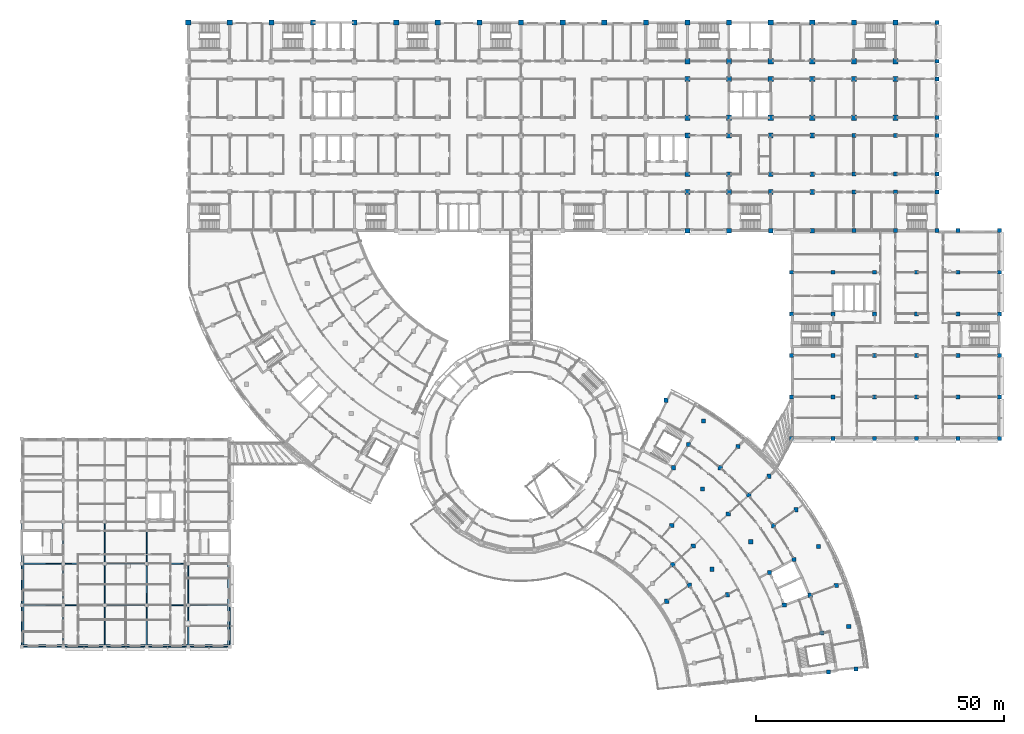
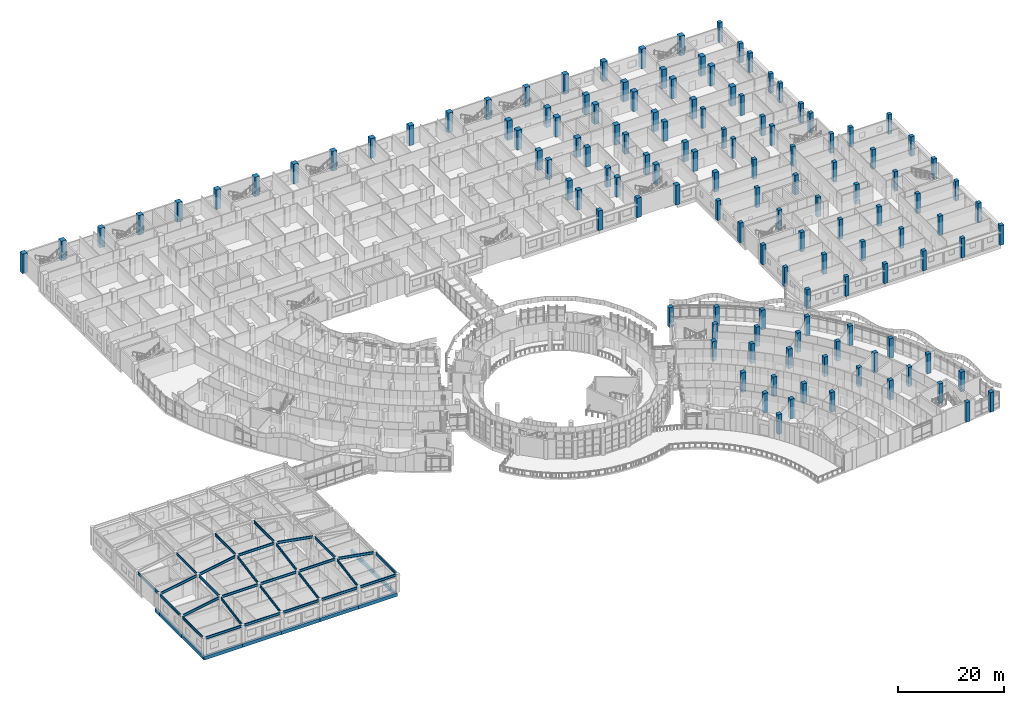
# One storey, part 2 of 136: 130 columns, 39 beams.
"""IFC4 building model written with IfcOpenShell, lengths in metres."""

from ifc_helpers import new_model, si_unit, direction, frame, origin, origin_2d, place, context, subcontext, project, spatial, rectangle, i_section, extrude, material, material_profile, profile_set, type_object, element, save


model = new_model("IFC4")

# Units and contexts
model_context = context("Model", 3, precision=1e-05, world=origin(), true_north=direction((0.0, 1.0)))
body_context = subcontext(model_context, "Body", "Model", "MODEL_VIEW")
ifc_project = project(units=[si_unit("LENGTHUNIT", "METRE"), si_unit("AREAUNIT", "SQUARE_METRE"), si_unit("VOLUMEUNIT", "CUBIC_METRE"), si_unit("PLANEANGLEUNIT", "RADIAN"), si_unit("MASSUNIT", "GRAM", prefix="KILO")], contexts=[model_context])

# Site, building, storey
site_placement = place(None, origin())
site = spatial("IfcSite", under=ifc_project, at=site_placement, CompositionType="ELEMENT")
building_placement = place(site_placement, origin())
building = spatial("IfcBuilding", under=site, at=building_placement, Name="Bougainvillea Quay General Hospital", CompositionType="ELEMENT")
storey_placement = place(building_placement, frame((0.0, 0.0, 5.39990234375)))
storey = spatial("IfcBuildingStorey", under=building, at=storey_placement, Name="L01", CompositionType="ELEMENT", Elevation=5.39990234375)

# Columns
ifc_material_1 = material(Name="Concrete C50", Category="concrete")
ifc_material_profile_1 = material_profile(ifc_material_1, rectangle(XDim=1.050048828125, YDim=1.050048828125, at=origin_2d()))
ifc_profile_set_1 = profile_set([ifc_material_profile_1], Name="Concrete C50")
column_type_1 = type_object("IfcColumnType", Name="RC COL 1050x1050 C50", PredefinedType="COLUMN", material=ifc_profile_set_1)
for number, where, z_axis, x_axis, name in (
    (1, (42.0, 159.60009765625, 0.0), (0.0, 0.0, 1.0), (1.0, 0.0, 0.0), "Column C-V4-007 L01"),
    (2, (50.39990234375, 159.60009765625, 0.0), (0.0, 0.0, 1.0), (1.0, 0.0, 0.0), "Column C-V4-017 L01"),
    (3, (58.800048828125, 159.60009765625, 0.0), (0.0, 0.0, 1.0), (1.0, 0.0, 0.0), "Column C-V4-027 L01"),
    (4, (67.199951171875, 159.60009765625, 0.0), (0.0, 0.0, 1.0), (1.0, 0.0, 0.0), "Column C-V4-037 L01"),
    (5, (75.60009765625, 159.60009765625, 0.0), (0.0, 0.0, 1.0), (1.0, 0.0, 0.0), "Column C-V4-047 L01"),
    (6, (84.0, 159.60009765625, 0.0), (0.0, 0.0, 1.0), (1.0, 0.0, 0.0), "Column C-V4-057 L01"),
    (7, (92.39990234375, 159.60009765625, 0.0), (0.0, 0.0, 1.0), (1.0, 0.0, 0.0), "Column C-V4-067 L01"),
    (8, (100.800048828125, 159.60009765625, 0.0), (0.0, 0.0, 1.0), (1.0, 0.0, 0.0), "Column C-V4-077 L01"),
    (9, (109.199951171875, 159.60009765625, 0.0), (0.0, 0.0, 1.0), (1.0, 0.0, 0.0), "Column C-V4-087 L01"),
    (10, (117.60009765625, 159.60009765625, 0.0), (0.0, 0.0, 1.0), (1.0, 0.0, 0.0), "Column C-V4-097 L01"),
    (11, (126.0, 159.60009765625, 0.0), (0.0, 0.0, 1.0), (1.0, 0.0, 0.0), "Column C-V4-107 L01"),
    (12, (134.39990234375, 159.60009765625, 0.0), (0.0, 0.0, 1.0), (1.0, 0.0, 0.0), "Column C-V4-117 L01"),
    (13, (142.800048828125, 140.39990234375, 0.0), (0.0, 0.0, 1.0), (1.0, 0.0, 0.0), "Column C-V4-124 L01"),
    (14, (142.800048828125, 148.199951171875, 0.0), (0.0, 0.0, 1.0), (1.0, 0.0, 0.0), "Column C-V4-125 L01"),
    (15, (142.800048828125, 151.800048828125, 0.0), (0.0, 0.0, 1.0), (1.0, 0.0, 0.0), "Column C-V4-126 L01"),
    (16, (142.800048828125, 159.60009765625, 0.0), (0.0, 0.0, 1.0), (1.0, 0.0, 0.0), "Column C-V4-127 L01"),
    (17, (151.199951171875, 140.39990234375, 0.0), (0.0, 0.0, 1.0), (1.0, 0.0, 0.0), "Column C-V4-134 L01"),
    (18, (151.199951171875, 148.199951171875, 0.0), (0.0, 0.0, 1.0), (1.0, 0.0, 0.0), "Column C-V4-135 L01"),
    (19, (151.199951171875, 151.800048828125, 0.0), (0.0, 0.0, 1.0), (1.0, 0.0, 0.0), "Column C-V4-136 L01"),
    (20, (151.199951171875, 159.60009765625, 0.0), (0.0, 0.0, 1.0), (1.0, 0.0, 0.0), "Column C-V4-137 L01"),
    (21, (159.60009765625, 140.39990234375, 0.0), (0.0, 0.0, 1.0), (1.0, 0.0, 0.0), "Column C-V4-144 L01"),
    (22, (159.60009765625, 148.199951171875, 0.0), (0.0, 0.0, 1.0), (1.0, 0.0, 0.0), "Column C-V4-145 L01"),
    (23, (159.60009765625, 151.800048828125, 0.0), (0.0, 0.0, 1.0), (1.0, 0.0, 0.0), "Column C-V4-146 L01"),
    (24, (159.60009765625, 159.60009765625, 0.0), (0.0, 0.0, 1.0), (1.0, 0.0, 0.0), "Column C-V4-147 L01"),
    (25, (168.0, 140.39990234375, 0.0), (0.0, 0.0, 1.0), (1.0, 0.0, 0.0), "Column C-V4-154 L01"),
    (26, (168.0, 148.199951171875, 0.0), (0.0, 0.0, 1.0), (1.0, 0.0, 0.0), "Column C-V4-155 L01"),
    (27, (168.0, 151.800048828125, 0.0), (0.0, 0.0, 1.0), (1.0, 0.0, 0.0), "Column C-V4-156 L01"),
    (28, (168.0, 159.60009765625, 0.0), (0.0, 0.0, 1.0), (1.0, 0.0, 0.0), "Column C-V4-157 L01"),
    (29, (176.39990234375, 140.39990234375, 0.0), (0.0, 0.0, 1.0), (1.0, 0.0, 0.0), "Column C-V4-164 L01"),
    (30, (176.39990234375, 148.199951171875, 0.0), (0.0, 0.0, 1.0), (1.0, 0.0, 0.0), "Column C-V4-165 L01"),
    (31, (176.39990234375, 151.800048828125, 0.0), (0.0, 0.0, 1.0), (1.0, 0.0, 0.0), "Column C-V4-166 L01"),
    (32, (176.39990234375, 159.60009765625, 0.0), (0.0, 0.0, 1.0), (1.0, 0.0, 0.0), "Column C-V4-167 L01"),
    (33, (184.800048828125, 140.39990234375, 0.0), (0.0, 0.0, 1.0), (1.0, 0.0, 0.0), "Column C-V4-174 L01"),
    (34, (184.800048828125, 148.199951171875, 0.0), (0.0, 0.0, 1.0), (1.0, 0.0, 0.0), "Column C-V4-175 L01"),
    (35, (184.800048828125, 151.800048828125, 0.0), (0.0, 0.0, 1.0), (1.0, 0.0, 0.0), "Column C-V4-176 L01"),
    (36, (184.800048828125, 159.60009765625, 0.0), (0.0, 0.0, 1.0), (1.0, 0.0, 0.0), "Column C-V4-177 L01"),
):
    element("IfcColumn", number, at=place(storey_placement, frame(where, z_axis=z_axis, x_axis=x_axis)), inside=storey, type_object=column_type_1, Name=name, PredefinedType="COLUMN", context=body_context, shape_type="SweptSolid", body=[
        extrude(rectangle(XDim=1.050048828125, YDim=1.050048828125, at=origin_2d()), origin(), (0.0, 0.0, 1.0), 4.5),
    ])
ifc_material_profile_2 = material_profile(ifc_material_1, rectangle(XDim=0.800048828125, YDim=0.800048828125, at=origin_2d()))
ifc_profile_set_2 = profile_set([ifc_material_profile_2], Name="Concrete C50")
column_type_2 = type_object("IfcColumnType", Name="RC COL 800x800 C50", PredefinedType="COLUMN", material=ifc_profile_set_2)
for number, where, z_axis, x_axis, name in (
    (37, (163.800048828125, 75.60009765625, 0.0), (0.0, 0.0, 1.0), (1.0, 0.0, 0.0), "Column C-V3-00 L01"),
    (38, (163.800048828125, 84.0, 0.0), (0.0, 0.0, 1.0), (1.0, 0.0, 0.0), "Column C-V3-01 L01"),
    (39, (163.800048828125, 92.39990234375, 0.0), (0.0, 0.0, 1.0), (1.0, 0.0, 0.0), "Column C-V3-02 L01"),
    (40, (163.800048828125, 100.800048828125, 0.0), (0.0, 0.0, 1.0), (1.0, 0.0, 0.0), "Column C-V3-03 L01"),
    (41, (163.800048828125, 109.199951171875, 0.0), (0.0, 0.0, 1.0), (1.0, 0.0, 0.0), "Column C-V3-04 L01"),
    (42, (172.199951171875, 75.60009765625, 0.0), (0.0, 0.0, 1.0), (1.0, 0.0, 0.0), "Column C-V3-10 L01"),
    (43, (172.199951171875, 84.0, 0.0), (0.0, 0.0, 1.0), (1.0, 0.0, 0.0), "Column C-V3-11 L01"),
    (44, (172.199951171875, 92.39990234375, 0.0), (0.0, 0.0, 1.0), (1.0, 0.0, 0.0), "Column C-V3-12 L01"),
    (45, (172.199951171875, 100.800048828125, 0.0), (0.0, 0.0, 1.0), (1.0, 0.0, 0.0), "Column C-V3-13 L01"),
    (46, (172.199951171875, 109.199951171875, 0.0), (0.0, 0.0, 1.0), (1.0, 0.0, 0.0), "Column C-V3-14 L01"),
    (47, (176.39990234375, 117.60009765625, 0.0), (0.0, 0.0, 1.0), (1.0, 0.0, 0.0), "Column C-V4-160 L01"),
    (48, (176.39990234375, 125.39990234375, 0.0), (0.0, 0.0, 1.0), (1.0, 0.0, 0.0), "Column C-V4-161 L01"),
    (49, (176.39990234375, 129.0, 0.0), (0.0, 0.0, 1.0), (1.0, 0.0, 0.0), "Column C-V4-162 L01"),
    (50, (176.39990234375, 136.800048828125, 0.0), (0.0, 0.0, 1.0), (1.0, 0.0, 0.0), "Column C-V4-163 L01"),
    (51, (180.60009765625, 75.60009765625, 0.0), (0.0, 0.0, 1.0), (1.0, 0.0, 0.0), "Column C-V3-20 L01"),
    (52, (180.60009765625, 84.0, 0.0), (0.0, 0.0, 1.0), (1.0, 0.0, 0.0), "Column C-V3-21 L01"),
    (53, (180.60009765625, 92.39990234375, 0.0), (0.0, 0.0, 1.0), (1.0, 0.0, 0.0), "Column C-V3-22 L01"),
    (54, (180.60009765625, 100.800048828125, 0.0), (0.0, 0.0, 1.0), (1.0, 0.0, 0.0), "Column C-V3-23 L01"),
    (55, (180.60009765625, 109.199951171875, 0.0), (0.0, 0.0, 1.0), (1.0, 0.0, 0.0), "Column C-V3-24 L01"),
    (56, (184.800048828125, 117.60009765625, 0.0), (0.0, 0.0, 1.0), (1.0, 0.0, 0.0), "Column C-V4-170 L01"),
    (57, (184.800048828125, 125.39990234375, 0.0), (0.0, 0.0, 1.0), (1.0, 0.0, 0.0), "Column C-V4-171 L01"),
    (58, (184.800048828125, 129.0, 0.0), (0.0, 0.0, 1.0), (1.0, 0.0, 0.0), "Column C-V4-172 L01"),
    (59, (184.800048828125, 136.800048828125, 0.0), (0.0, 0.0, 1.0), (1.0, 0.0, 0.0), "Column C-V4-173 L01"),
    (60, (189.0, 75.60009765625, 0.0), (0.0, 0.0, 1.0), (1.0, 0.0, 0.0), "Column C-V3-30 L01"),
    (61, (189.0, 84.0, 0.0), (0.0, 0.0, 1.0), (1.0, 0.0, 0.0), "Column C-V3-31 L01"),
    (62, (189.0, 92.39990234375, 0.0), (0.0, 0.0, 1.0), (1.0, 0.0, 0.0), "Column C-V3-32 L01"),
    (63, (189.0, 100.800048828125, 0.0), (0.0, 0.0, 1.0), (1.0, 0.0, 0.0), "Column C-V3-33 L01"),
    (64, (189.0, 109.199951171875, 0.0), (0.0, 0.0, 1.0), (1.0, 0.0, 0.0), "Column C-V3-34 L01"),
    (65, (193.199951171875, 117.60009765625, 0.0), (0.0, 0.0, 1.0), (1.0, 0.0, 0.0), "Column C-V4-180 L01"),
    (66, (193.199951171875, 125.39990234375, 0.0), (0.0, 0.0, 1.0), (1.0, 0.0, 0.0), "Column C-V4-181 L01"),
    (67, (193.199951171875, 129.0, 0.0), (0.0, 0.0, 1.0), (1.0, 0.0, 0.0), "Column C-V4-182 L01"),
    (68, (193.199951171875, 136.800048828125, 0.0), (0.0, 0.0, 1.0), (1.0, 0.0, 0.0), "Column C-V4-183 L01"),
    (69, (193.199951171875, 140.39990234375, 0.0), (0.0, 0.0, 1.0), (1.0, 0.0, 0.0), "Column C-V4-184 L01"),
    (70, (193.199951171875, 148.199951171875, 0.0), (0.0, 0.0, 1.0), (1.0, 0.0, 0.0), "Column C-V4-185 L01"),
    (71, (193.199951171875, 151.800048828125, 0.0), (0.0, 0.0, 1.0), (1.0, 0.0, 0.0), "Column C-V4-186 L01"),
    (72, (193.199951171875, 159.60009765625, 0.0), (0.0, 0.0, 1.0), (1.0, 0.0, 0.0), "Column C-V4-187 L01"),
    (73, (197.39990234375, 75.60009765625, 0.0), (0.0, 0.0, 1.0), (1.0, 0.0, 0.0), "Column C-V3-40 L01"),
    (74, (197.39990234375, 84.0, 0.0), (0.0, 0.0, 1.0), (1.0, 0.0, 0.0), "Column C-V3-41 L01"),
    (75, (197.39990234375, 92.39990234375, 0.0), (0.0, 0.0, 1.0), (1.0, 0.0, 0.0), "Column C-V3-42 L01"),
    (76, (197.39990234375, 100.800048828125, 0.0), (0.0, 0.0, 1.0), (1.0, 0.0, 0.0), "Column C-V3-43 L01"),
    (77, (197.39990234375, 109.199951171875, 0.0), (0.0, 0.0, 1.0), (1.0, 0.0, 0.0), "Column C-V3-44 L01"),
    (78, (197.39990234375, 117.60009765625, 0.0), (0.0, 0.0, 1.0), (1.0, 0.0, 0.0), "Column C-V3-45 L01"),
    (79, (205.800048828125, 75.60009765625, 0.0), (0.0, 0.0, 1.0), (1.0, 0.0, 0.0), "Column C-V3-50 L01"),
    (80, (205.800048828125, 84.0, 0.0), (0.0, 0.0, 1.0), (1.0, 0.0, 0.0), "Column C-V3-51 L01"),
    (81, (205.800048828125, 92.39990234375, 0.0), (0.0, 0.0, 1.0), (1.0, 0.0, 0.0), "Column C-V3-52 L01"),
    (82, (205.800048828125, 100.800048828125, 0.0), (0.0, 0.0, 1.0), (1.0, 0.0, 0.0), "Column C-V3-53 L01"),
    (83, (205.800048828125, 109.199951171875, 0.0), (0.0, 0.0, 1.0), (1.0, 0.0, 0.0), "Column C-V3-54 L01"),
    (84, (205.800048828125, 117.60009765625, 0.0), (0.0, 0.0, 1.0), (1.0, 0.0, 0.0), "Column C-V3-55 L01"),
):
    element("IfcColumn", number, at=place(storey_placement, frame(where, z_axis=z_axis, x_axis=x_axis)), inside=storey, type_object=column_type_2, Name=name, PredefinedType="COLUMN", context=body_context, shape_type="SweptSolid", body=[
        extrude(rectangle(XDim=0.800048828125, YDim=0.800048828125, at=origin_2d()), origin(), (0.0, 0.0, 1.0), 4.5),
    ])
ifc_material_profile_3 = material_profile(ifc_material_1, rectangle(XDim=0.85009765625, YDim=0.85009765625, at=origin_2d()))
ifc_profile_set_3 = profile_set([ifc_material_profile_3], Name="Concrete C50")
column_type_3 = type_object("IfcColumnType", Name="RC COL 850x850 C50", PredefinedType="COLUMN", material=ifc_profile_set_3)
for number, where, z_axis, x_axis, name in (
    (85, (138.47509765625, 83.3759765625, 0.0), (0.0, 0.0, 1.0), (1.0, 0.0, 0.0), "Column C-V6-E00 L01"),
    (86, (138.597900390625, 42.778076171875, 0.0), (0.0, 0.0, 1.0), (1.0, 0.0, 0.0), "Column C-V6-E45 L01"),
    (87, (139.617919921875, 58.092041015625, 0.0), (0.0, 0.0, 1.0), (1.0, 0.0, 0.0), "Column C-V6-E23 L01"),
    (88, (139.839111328125, 50.138916015625, 0.0), (0.0, 0.0, 1.0), (1.0, 0.0, 0.0), "Column C-V6-E34 L01"),
    (89, (139.97900390625, 69.738037109375, 0.0), (0.0, 0.0, 1.0), (1.0, 0.0, 0.0), "Column C-V6-E12 L01"),
    (90, (143.013916015625, 74.444091796875, 0.0), (0.0, 0.0, 1.0), (1.0, 0.0, 0.0), "Column C-V6-E11 L01"),
    (91, (143.1708984375, 46.010009765625, 0.0), (0.0, 0.0, 1.0), (1.0, 0.0, 0.0), "Column C-V6-E44 L01"),
    (92, (143.964111328125, 53.927001953125, 0.0), (0.0, 0.0, 1.0), (1.0, 0.0, 0.0), "Column C-V6-E33 L01"),
    (93, (145.803955078125, 65.431884765625, 0.0), (0.0, 0.0, 1.0), (1.0, 0.0, 0.0), "Column C-V6-E22 L01"),
    (94, (146.048095703125, 79.15087890625, 0.0), (0.0, 0.0, 1.0), (1.0, 0.0, 0.0), "Column C-V6-E10 L01"),
    (95, (147.7451171875, 49.242919921875, 0.0), (0.0, 0.0, 1.0), (1.0, 0.0, 0.0), "Column C-V6-E43 L01"),
    (96, (149.4130859375, 69.714111328125, 0.0), (0.0, 0.0, 1.0), (1.0, 0.0, 0.0), "Column C-V6-E21 L01"),
    (97, (150.89794921875, 44.114990234375, 0.0), (0.0, 0.0, 1.0), (1.0, 0.0, 0.0), "Column C-V6-E53 L01"),
    (98, (151.033935546875, 60.419921875, 0.0), (0.0, 0.0, 1.0), (1.0, 0.0, 0.0), "Column C-V6-E32 L01"),
    (99, (153.02197265625, 73.99609375, 0.0), (0.0, 0.0, 1.0), (1.0, 0.0, 0.0), "Column C-V6-E20 L01"),
    (100, (155.158935546875, 64.2080078125, 0.0), (0.0, 0.0, 1.0), (1.0, 0.0, 0.0), "Column C-V6-E31 L01"),
    (101, (155.583984375, 54.782958984375, 0.0), (0.0, 0.0, 1.0), (1.0, 0.0, 0.0), "Column C-V6-E42 L01"),
    (102, (159.283935546875, 67.99609375, 0.0), (0.0, 0.0, 1.0), (1.0, 0.0, 0.0), "Column C-V6-E30 L01"),
    (103, (159.37890625, 48.613037109375, 0.0), (0.0, 0.0, 1.0), (1.0, 0.0, 0.0), "Column C-V6-E52 L01"),
    (104, (160.156982421875, 58.01611328125, 0.0), (0.0, 0.0, 1.0), (1.0, 0.0, 0.0), "Column C-V6-E41 L01"),
    (105, (162.35791015625, 42.010986328125, 0.0), (0.0, 0.0, 1.0), (1.0, 0.0, 0.0), "Column C-V6-E62 L01"),
    (106, (164.326904296875, 51.237060546875, 0.0), (0.0, 0.0, 1.0), (1.0, 0.0, 0.0), "Column C-V6-E51 L01"),
    (107, (164.72998046875, 61.248046875, 0.0), (0.0, 0.0, 1.0), (1.0, 0.0, 0.0), "Column C-V6-E40 L01"),
    (108, (167.59912109375, 43.98291015625, 0.0), (0.0, 0.0, 1.0), (1.0, 0.0, 0.0), "Column C-V6-E61 L01"),
    (109, (169.27392578125, 53.861083984375, 0.0), (0.0, 0.0, 1.0), (1.0, 0.0, 0.0), "Column C-V6-E50 L01"),
    (110, (169.922119140625, 36.3720703125, 0.0), (0.0, 0.0, 1.0), (1.0, 0.0, 0.0), "Column C-V6-E71 L01"),
    (111, (171.258056640625, 28.527099609375, 0.0), (0.0, 0.0, 1.0), (1.0, 0.0, 0.0), "Column C-V6-E81 L01"),
    (112, (172.840087890625, 45.9560546875, 0.0), (0.0, 0.0, 1.0), (1.0, 0.0, 0.0), "Column C-V6-E60 L01"),
    (113, (175.3720703125, 37.662109375, 0.0), (0.0, 0.0, 1.0), (1.0, 0.0, 0.0), "Column C-V6-E70 L01"),
    (114, (176.826904296875, 29.113037109375, 0.0), (0.0, 0.0, 1.0), (1.0, 0.0, 0.0), "Column C-V6-E80 L01"),
):
    element("IfcColumn", number, at=place(storey_placement, frame(where, z_axis=z_axis, x_axis=x_axis)), inside=storey, type_object=column_type_3, Name=name, PredefinedType="COLUMN", context=body_context, shape_type="SweptSolid", body=[
        extrude(rectangle(XDim=0.85009765625, YDim=0.85009765625, at=origin_2d()), origin(), (0.0, 0.0, 1.0), 4.5),
    ])
ifc_material_profile_4 = material_profile(ifc_material_1, rectangle(XDim=0.949951171875, YDim=0.949951171875, at=origin_2d()))
ifc_profile_set_4 = profile_set([ifc_material_profile_4], Name="Concrete C50")
column_type_4 = type_object("IfcColumnType", Name="RC COL 950x950 C50", PredefinedType="COLUMN", material=ifc_profile_set_4)
for number, where, z_axis, x_axis, name in (
    (115, (142.800048828125, 117.60009765625, 0.0), (0.0, 0.0, 1.0), (1.0, 0.0, 0.0), "Column C-V4-120 L01"),
    (116, (142.800048828125, 125.39990234375, 0.0), (0.0, 0.0, 1.0), (1.0, 0.0, 0.0), "Column C-V4-121 L01"),
    (117, (142.800048828125, 129.0, 0.0), (0.0, 0.0, 1.0), (1.0, 0.0, 0.0), "Column C-V4-122 L01"),
    (118, (142.800048828125, 136.800048828125, 0.0), (0.0, 0.0, 1.0), (1.0, 0.0, 0.0), "Column C-V4-123 L01"),
    (119, (151.199951171875, 117.60009765625, 0.0), (0.0, 0.0, 1.0), (1.0, 0.0, 0.0), "Column C-V4-130 L01"),
    (120, (151.199951171875, 125.39990234375, 0.0), (0.0, 0.0, 1.0), (1.0, 0.0, 0.0), "Column C-V4-131 L01"),
    (121, (151.199951171875, 129.0, 0.0), (0.0, 0.0, 1.0), (1.0, 0.0, 0.0), "Column C-V4-132 L01"),
    (122, (151.199951171875, 136.800048828125, 0.0), (0.0, 0.0, 1.0), (1.0, 0.0, 0.0), "Column C-V4-133 L01"),
    (123, (159.60009765625, 117.60009765625, 0.0), (0.0, 0.0, 1.0), (1.0, 0.0, 0.0), "Column C-V4-140 L01"),
    (124, (159.60009765625, 125.39990234375, 0.0), (0.0, 0.0, 1.0), (1.0, 0.0, 0.0), "Column C-V4-141 L01"),
    (125, (159.60009765625, 129.0, 0.0), (0.0, 0.0, 1.0), (1.0, 0.0, 0.0), "Column C-V4-142 L01"),
    (126, (159.60009765625, 136.800048828125, 0.0), (0.0, 0.0, 1.0), (1.0, 0.0, 0.0), "Column C-V4-143 L01"),
    (127, (168.0, 117.60009765625, 0.0), (0.0, 0.0, 1.0), (1.0, 0.0, 0.0), "Column C-V4-150 L01"),
    (128, (168.0, 125.39990234375, 0.0), (0.0, 0.0, 1.0), (1.0, 0.0, 0.0), "Column C-V4-151 L01"),
    (129, (168.0, 129.0, 0.0), (0.0, 0.0, 1.0), (1.0, 0.0, 0.0), "Column C-V4-152 L01"),
    (130, (168.0, 136.800048828125, 0.0), (0.0, 0.0, 1.0), (1.0, 0.0, 0.0), "Column C-V4-153 L01"),
):
    element("IfcColumn", number, at=place(storey_placement, frame(where, z_axis=z_axis, x_axis=x_axis)), inside=storey, type_object=column_type_4, Name=name, PredefinedType="COLUMN", context=body_context, shape_type="SweptSolid", body=[
        extrude(rectangle(XDim=0.949951171875, YDim=0.949951171875, at=origin_2d()), origin(), (0.0, 0.0, 1.0), 4.5),
    ])

# Beams
ifc_material_2 = material(Name="Steel Q355", Category="steel")
ifc_material_profile_5 = material_profile(ifc_material_2, i_section(OverallWidth=0.199951171875, OverallDepth=0.60009765625, WebThickness=0.010986328125, FlangeThickness=0.01708984375, FilletRadius=0.012939453125, at=origin_2d()))
ifc_profile_set_5 = profile_set([ifc_material_profile_5], Name="Steel Q355")
beam_type_1 = type_object("IfcBeamType", Name="HN 600x200x11x17 Q355", PredefinedType="BEAM", material=ifc_profile_set_5)
beam_1_placement = place(storey_placement, frame((8.75, 33.60009765625, 3.91015625), z_axis=(1.0, 0.0, 0.0), x_axis=(0.0, 1.0, 0.0)))
element("IfcBeam", 131, at=beam_1_placement, inside=storey, type_object=beam_type_1, Name="Roof girder", PredefinedType="BEAM", context=body_context, shape_type="SweptSolid", body=[
    extrude(i_section(OverallWidth=0.199951171875, OverallDepth=0.60009765625, WebThickness=0.010986328125, FlangeThickness=0.01708984375, FilletRadius=0.012939453125, at=origin_2d()), origin(), (0.0, 0.0, 1.0), 7.699951171875),
])
beam_2_placement = place(storey_placement, frame((17.14990234375, 33.60009765625, 3.91015625), z_axis=(1.0, 0.0, 0.0), x_axis=(0.0, 1.0, 0.0)))
element("IfcBeam", 132, at=beam_2_placement, inside=storey, type_object=beam_type_1, Name="Roof girder", PredefinedType="BEAM", context=body_context, shape_type="SweptSolid", body=[
    extrude(i_section(OverallWidth=0.199951171875, OverallDepth=0.60009765625, WebThickness=0.010986328125, FlangeThickness=0.01708984375, FilletRadius=0.012939453125, at=origin_2d()), origin(), (0.0, 0.0, 1.0), 7.7001953125),
])
for number, where, z_axis, x_axis, name in (
    (133, (25.550048828125, 33.60009765625, 3.91015625), (1.0, 0.0, 0.0), (0.0, 1.0, 0.0), "Roof girder"),
    (134, (33.949951171875, 33.60009765625, 3.91015625), (1.0, 0.0, 0.0), (0.0, 1.0, 0.0), "Roof girder"),
    (135, (42.35009765625, 33.60009765625, 3.91015625), (1.0, 0.0, 0.0), (0.0, 1.0, 0.0), "Roof girder"),
):
    element("IfcBeam", number, at=place(storey_placement, frame(where, z_axis=z_axis, x_axis=x_axis)), inside=storey, type_object=beam_type_1, Name=name, PredefinedType="BEAM", context=body_context, shape_type="SweptSolid", body=[
        extrude(i_section(OverallWidth=0.199951171875, OverallDepth=0.60009765625, WebThickness=0.010986328125, FlangeThickness=0.01708984375, FilletRadius=0.012939453125, at=origin_2d()), origin(), (0.0, 0.0, 1.0), 7.699951171875),
    ])
beam_3_placement = place(storey_placement, frame((8.75, 42.0, 3.96728515625), z_axis=(0.984808696246, 0.0, 0.173642828239), x_axis=(0.0, 1.0, 0.0)))
element("IfcBeam", 136, at=beam_3_placement, inside=storey, type_object=beam_type_1, Name="Roof girder", PredefinedType="BEAM", context=body_context, shape_type="SweptSolid", body=[
    extrude(i_section(OverallWidth=0.199951171875, OverallDepth=0.60009765625, WebThickness=0.010986328125, FlangeThickness=0.01708984375, FilletRadius=0.012939453125, at=origin_2d()), origin(), (0.0, 0.0, 1.0), 7.81884765625),
])
beam_4_placement = place(storey_placement, frame((17.14990234375, 42.0, 5.391357421875), z_axis=(1.0, 0.0, 0.0), x_axis=(0.0, 1.0, 0.0)))
element("IfcBeam", 137, at=beam_4_placement, inside=storey, type_object=beam_type_1, Name="Roof girder", PredefinedType="BEAM", context=body_context, shape_type="SweptSolid", body=[
    extrude(i_section(OverallWidth=0.199951171875, OverallDepth=0.60009765625, WebThickness=0.010986328125, FlangeThickness=0.01708984375, FilletRadius=0.012939453125, at=origin_2d()), origin(), (0.0, 0.0, 1.0), 7.7001953125),
])
for number, where, z_axis, x_axis, name in (
    (138, (25.550048828125, 42.0, 5.391357421875), (1.0, 0.0, 0.0), (0.0, 1.0, 0.0), "Roof girder"),
    (139, (33.949951171875, 42.0, 5.391357421875), (1.0, 0.0, 0.0), (0.0, 1.0, 0.0), "Roof girder"),
):
    element("IfcBeam", number, at=place(storey_placement, frame(where, z_axis=z_axis, x_axis=x_axis)), inside=storey, type_object=beam_type_1, Name=name, PredefinedType="BEAM", context=body_context, shape_type="SweptSolid", body=[
        extrude(i_section(OverallWidth=0.199951171875, OverallDepth=0.60009765625, WebThickness=0.010986328125, FlangeThickness=0.01708984375, FilletRadius=0.012939453125, at=origin_2d()), origin(), (0.0, 0.0, 1.0), 7.699951171875),
    ])
for number, where, z_axis, x_axis, name in (
    (140, (42.35009765625, 42.0, 5.324951171875), (0.984808696246, 0.0, -0.173642828239), (0.0, 1.0, 0.0), "Roof girder"),
    (141, (8.75, 50.39990234375, 3.96728515625), (0.984808696246, 0.0, 0.173642828239), (0.0, 1.0, 0.0), "Roof girder"),
):
    element("IfcBeam", number, at=place(storey_placement, frame(where, z_axis=z_axis, x_axis=x_axis)), inside=storey, type_object=beam_type_1, Name=name, PredefinedType="BEAM", context=body_context, shape_type="SweptSolid", body=[
        extrude(i_section(OverallWidth=0.199951171875, OverallDepth=0.60009765625, WebThickness=0.010986328125, FlangeThickness=0.01708984375, FilletRadius=0.012939453125, at=origin_2d()), origin(), (0.0, 0.0, 1.0), 7.81884765625),
    ])
beam_5_placement = place(storey_placement, frame((17.14990234375, 50.39990234375, 5.4482421875), z_axis=(0.984804297935, 0.0, 0.173667771246), x_axis=(0.0, 1.0, 0.0)))
element("IfcBeam", 142, at=beam_5_placement, inside=storey, type_object=beam_type_1, Name="Roof girder", PredefinedType="BEAM", context=body_context, shape_type="SweptSolid", body=[
    extrude(i_section(OverallWidth=0.199951171875, OverallDepth=0.60009765625, WebThickness=0.010986328125, FlangeThickness=0.01708984375, FilletRadius=0.012939453125, at=origin_2d()), origin(), (0.0, 0.0, 1.0), 7.819091796875),
])
beam_6_placement = place(storey_placement, frame((25.550048828125, 50.39990234375, 6.872314453125), z_axis=(1.0, 0.0, 0.0), x_axis=(0.0, 1.0, 0.0)))
element("IfcBeam", 143, at=beam_6_placement, inside=storey, type_object=beam_type_1, Name="Roof girder", PredefinedType="BEAM", context=body_context, shape_type="SweptSolid", body=[
    extrude(i_section(OverallWidth=0.199951171875, OverallDepth=0.60009765625, WebThickness=0.010986328125, FlangeThickness=0.01708984375, FilletRadius=0.012939453125, at=origin_2d()), origin(), (0.0, 0.0, 1.0), 7.699951171875),
])
beam_7_placement = place(storey_placement, frame((33.949951171875, 50.39990234375, 6.80615234375), z_axis=(0.98480335616, 0.0, -0.173673111607), x_axis=(0.0, 1.0, 0.0)))
element("IfcBeam", 144, at=beam_7_placement, inside=storey, type_object=beam_type_1, Name="Roof girder", PredefinedType="BEAM", context=body_context, shape_type="SweptSolid", body=[
    extrude(i_section(OverallWidth=0.199951171875, OverallDepth=0.60009765625, WebThickness=0.010986328125, FlangeThickness=0.01708984375, FilletRadius=0.012939453125, at=origin_2d()), origin(), (0.0, 0.0, 1.0), 7.81884765625),
])
for number, where, z_axis, x_axis, name in (
    (145, (8.39990234375, 33.949951171875, 3.91015625), (0.0, 1.0, 0.0), (-1.0, 0.0, 0.0), "Roof girder"),
    (146, (8.39990234375, 42.35009765625, 3.91015625), (0.0, 1.0, 0.0), (-1.0, 0.0, 0.0), "Roof girder"),
    (147, (8.39990234375, 50.75, 3.91015625), (0.0, 1.0, 0.0), (-1.0, 0.0, 0.0), "Roof girder"),
):
    element("IfcBeam", number, at=place(storey_placement, frame(where, z_axis=z_axis, x_axis=x_axis)), inside=storey, type_object=beam_type_1, Name=name, PredefinedType="BEAM", context=body_context, shape_type="SweptSolid", body=[
        extrude(i_section(OverallWidth=0.199951171875, OverallDepth=0.60009765625, WebThickness=0.010986328125, FlangeThickness=0.01708984375, FilletRadius=0.012939453125, at=origin_2d()), origin(), (0.0, 0.0, 1.0), 7.699951171875),
    ])
beam_8_placement = place(storey_placement, frame((16.800048828125, 33.949951171875, 3.96728515625), z_axis=(0.0, 0.984808696246, 0.173642828239), x_axis=(-1.0, 0.0, 0.0)))
element("IfcBeam", 148, at=beam_8_placement, inside=storey, type_object=beam_type_1, Name="Roof girder", PredefinedType="BEAM", context=body_context, shape_type="SweptSolid", body=[
    extrude(i_section(OverallWidth=0.199951171875, OverallDepth=0.60009765625, WebThickness=0.010986328125, FlangeThickness=0.01708984375, FilletRadius=0.012939453125, at=origin_2d()), origin(), (0.0, 0.0, 1.0), 7.81884765625),
])
for number, where, z_axis, x_axis, name in (
    (149, (16.800048828125, 42.35009765625, 5.391357421875), (0.0, 1.0, 0.0), (-1.0, 0.0, 0.0), "Roof girder"),
    (150, (16.800048828125, 50.75, 5.391357421875), (0.0, 1.0, 0.0), (-1.0, 0.0, 0.0), "Roof girder"),
):
    element("IfcBeam", number, at=place(storey_placement, frame(where, z_axis=z_axis, x_axis=x_axis)), inside=storey, type_object=beam_type_1, Name=name, PredefinedType="BEAM", context=body_context, shape_type="SweptSolid", body=[
        extrude(i_section(OverallWidth=0.199951171875, OverallDepth=0.60009765625, WebThickness=0.010986328125, FlangeThickness=0.01708984375, FilletRadius=0.012939453125, at=origin_2d()), origin(), (0.0, 0.0, 1.0), 7.699951171875),
    ])
for number, where, z_axis, x_axis, name in (
    (151, (25.199951171875, 33.949951171875, 3.96728515625), (0.0, 0.984808696246, 0.173642828239), (-1.0, 0.0, 0.0), "Roof girder"),
    (152, (25.199951171875, 42.35009765625, 5.4482421875), (0.0, 0.98480335616, 0.173673111607), (-1.0, 0.0, 0.0), "Roof girder"),
):
    element("IfcBeam", number, at=place(storey_placement, frame(where, z_axis=z_axis, x_axis=x_axis)), inside=storey, type_object=beam_type_1, Name=name, PredefinedType="BEAM", context=body_context, shape_type="SweptSolid", body=[
        extrude(i_section(OverallWidth=0.199951171875, OverallDepth=0.60009765625, WebThickness=0.010986328125, FlangeThickness=0.01708984375, FilletRadius=0.012939453125, at=origin_2d()), origin(), (0.0, 0.0, 1.0), 7.81884765625),
    ])
beam_9_placement = place(storey_placement, frame((25.199951171875, 50.75, 6.872314453125), z_axis=(0.0, 1.0, 0.0), x_axis=(-1.0, 0.0, 0.0)))
element("IfcBeam", 153, at=beam_9_placement, inside=storey, type_object=beam_type_1, Name="Roof girder", PredefinedType="BEAM", context=body_context, shape_type="SweptSolid", body=[
    extrude(i_section(OverallWidth=0.199951171875, OverallDepth=0.60009765625, WebThickness=0.010986328125, FlangeThickness=0.01708984375, FilletRadius=0.012939453125, at=origin_2d()), origin(), (0.0, 0.0, 1.0), 7.699951171875),
])
for number, where, z_axis, x_axis, name in (
    (154, (33.60009765625, 33.949951171875, 3.96728515625), (0.0, 0.984808696246, 0.173642828239), (-1.0, 0.0, 0.0), "Roof girder"),
    (155, (33.60009765625, 42.35009765625, 5.4482421875), (0.0, 0.98480335616, 0.173673111607), (-1.0, 0.0, 0.0), "Roof girder"),
):
    element("IfcBeam", number, at=place(storey_placement, frame(where, z_axis=z_axis, x_axis=x_axis)), inside=storey, type_object=beam_type_1, Name=name, PredefinedType="BEAM", context=body_context, shape_type="SweptSolid", body=[
        extrude(i_section(OverallWidth=0.199951171875, OverallDepth=0.60009765625, WebThickness=0.010986328125, FlangeThickness=0.01708984375, FilletRadius=0.012939453125, at=origin_2d()), origin(), (0.0, 0.0, 1.0), 7.81884765625),
    ])
beam_10_placement = place(storey_placement, frame((33.60009765625, 50.75, 6.872314453125), z_axis=(0.0, 1.0, 0.0), x_axis=(-1.0, 0.0, 0.0)))
element("IfcBeam", 156, at=beam_10_placement, inside=storey, type_object=beam_type_1, Name="Roof girder", PredefinedType="BEAM", context=body_context, shape_type="SweptSolid", body=[
    extrude(i_section(OverallWidth=0.199951171875, OverallDepth=0.60009765625, WebThickness=0.010986328125, FlangeThickness=0.01708984375, FilletRadius=0.012939453125, at=origin_2d()), origin(), (0.0, 0.0, 1.0), 7.699951171875),
])
beam_11_placement = place(storey_placement, frame((42.0, 33.949951171875, 3.96728515625), z_axis=(0.0, 0.984808696246, 0.173642828239), x_axis=(-1.0, 0.0, 0.0)))
element("IfcBeam", 157, at=beam_11_placement, inside=storey, type_object=beam_type_1, Name="Roof girder", PredefinedType="BEAM", context=body_context, shape_type="SweptSolid", body=[
    extrude(i_section(OverallWidth=0.199951171875, OverallDepth=0.60009765625, WebThickness=0.010986328125, FlangeThickness=0.01708984375, FilletRadius=0.012939453125, at=origin_2d()), origin(), (0.0, 0.0, 1.0), 7.81884765625),
])
for number, where, z_axis, x_axis, name in (
    (158, (42.0, 42.35009765625, 5.391357421875), (0.0, 1.0, 0.0), (-1.0, 0.0, 0.0), "Roof girder"),
    (159, (50.39990234375, 33.949951171875, 3.91015625), (0.0, 1.0, 0.0), (-1.0, 0.0, 0.0), "Roof girder"),
):
    element("IfcBeam", number, at=place(storey_placement, frame(where, z_axis=z_axis, x_axis=x_axis)), inside=storey, type_object=beam_type_1, Name=name, PredefinedType="BEAM", context=body_context, shape_type="SweptSolid", body=[
        extrude(i_section(OverallWidth=0.199951171875, OverallDepth=0.60009765625, WebThickness=0.010986328125, FlangeThickness=0.01708984375, FilletRadius=0.012939453125, at=origin_2d()), origin(), (0.0, 0.0, 1.0), 7.699951171875),
    ])
ifc_material_3 = material(Name="Concrete C40", Category="concrete")
ifc_material_profile_6 = material_profile(ifc_material_3, rectangle(XDim=0.449951171875, YDim=0.800048828125, at=origin_2d()))
ifc_profile_set_6 = profile_set([ifc_material_profile_6], Name="Concrete C40")
beam_type_2 = type_object("IfcBeamType", Name="RC BEAM 450x800 C40", PredefinedType="BEAM", material=ifc_profile_set_6)
beam_12_placement = place(storey_placement, frame((8.625, 52.02490234375, -0.699951171875), z_axis=(0.0, -1.0, 0.0), x_axis=(1.0, 0.0, 0.0)))
element("IfcBeam", 160, at=beam_12_placement, inside=storey, type_object=beam_type_2, Name="Edge beam L01", PredefinedType="BEAM", context=body_context, shape_type="SweptSolid", body=[
    extrude(rectangle(XDim=0.449951171875, YDim=0.800048828125, at=origin_2d()), origin(), (0.0, 0.0, 1.0), 1.625),
])
for number, where, z_axis, x_axis, name in (
    (161, (8.625, 50.39990234375, -0.699951171875), (0.0, -1.0, 0.0), (1.0, 0.0, 0.0), "Edge beam L01"),
    (162, (8.625, 42.0, -0.699951171875), (0.0, -1.0, 0.0), (1.0, 0.0, 0.0), "Edge beam L01"),
):
    element("IfcBeam", number, at=place(storey_placement, frame(where, z_axis=z_axis, x_axis=x_axis)), inside=storey, type_object=beam_type_2, Name=name, PredefinedType="BEAM", context=body_context, shape_type="SweptSolid", body=[
        extrude(rectangle(XDim=0.449951171875, YDim=0.800048828125, at=origin_2d()), origin(), (0.0, 0.0, 1.0), 8.39990234375),
    ])
beam_13_placement = place(storey_placement, frame((8.39990234375, 33.824951171875, -0.699951171875), z_axis=(1.0, 0.0, 0.0), x_axis=(0.0, 1.0, 0.0)))
element("IfcBeam", 163, at=beam_13_placement, inside=storey, type_object=beam_type_2, Name="Edge beam L01", PredefinedType="BEAM", context=body_context, shape_type="SweptSolid", body=[
    extrude(rectangle(XDim=0.449951171875, YDim=0.800048828125, at=origin_2d()), origin(), (0.0, 0.0, 1.0), 8.400146484375),
])
beam_14_placement = place(storey_placement, frame((16.800048828125, 33.824951171875, -0.699951171875), z_axis=(1.0, 0.0, 0.0), x_axis=(0.0, 1.0, 0.0)))
element("IfcBeam", 164, at=beam_14_placement, inside=storey, type_object=beam_type_2, Name="Edge beam L01", PredefinedType="BEAM", context=body_context, shape_type="SweptSolid", body=[
    extrude(rectangle(XDim=0.449951171875, YDim=0.800048828125, at=origin_2d()), origin(), (0.0, 0.0, 1.0), 8.39990234375),
])
beam_15_placement = place(storey_placement, frame((25.199951171875, 33.824951171875, -0.699951171875), z_axis=(1.0, 0.0, 0.0), x_axis=(0.0, 1.0, 0.0)))
element("IfcBeam", 165, at=beam_15_placement, inside=storey, type_object=beam_type_2, Name="Edge beam L01", PredefinedType="BEAM", context=body_context, shape_type="SweptSolid", body=[
    extrude(rectangle(XDim=0.449951171875, YDim=0.800048828125, at=origin_2d()), origin(), (0.0, 0.0, 1.0), 8.400146484375),
])
for number, where, z_axis, x_axis, name in (
    (166, (33.60009765625, 33.824951171875, -0.699951171875), (1.0, 0.0, 0.0), (0.0, 1.0, 0.0), "Edge beam L01"),
    (167, (42.0, 33.824951171875, -0.699951171875), (1.0, 0.0, 0.0), (0.0, 1.0, 0.0), "Edge beam L01"),
    (168, (50.175048828125, 33.60009765625, -0.699951171875), (0.0, 1.0, 0.0), (-1.0, 0.0, 0.0), "Edge beam L01"),
    (169, (50.175048828125, 42.0, -0.699951171875), (0.0, 1.0, 0.0), (-1.0, 0.0, 0.0), "Edge beam L01"),
):
    element("IfcBeam", number, at=place(storey_placement, frame(where, z_axis=z_axis, x_axis=x_axis)), inside=storey, type_object=beam_type_2, Name=name, PredefinedType="BEAM", context=body_context, shape_type="SweptSolid", body=[
        extrude(rectangle(XDim=0.449951171875, YDim=0.800048828125, at=origin_2d()), origin(), (0.0, 0.0, 1.0), 8.39990234375),
    ])

save(model, "model.ifc")
